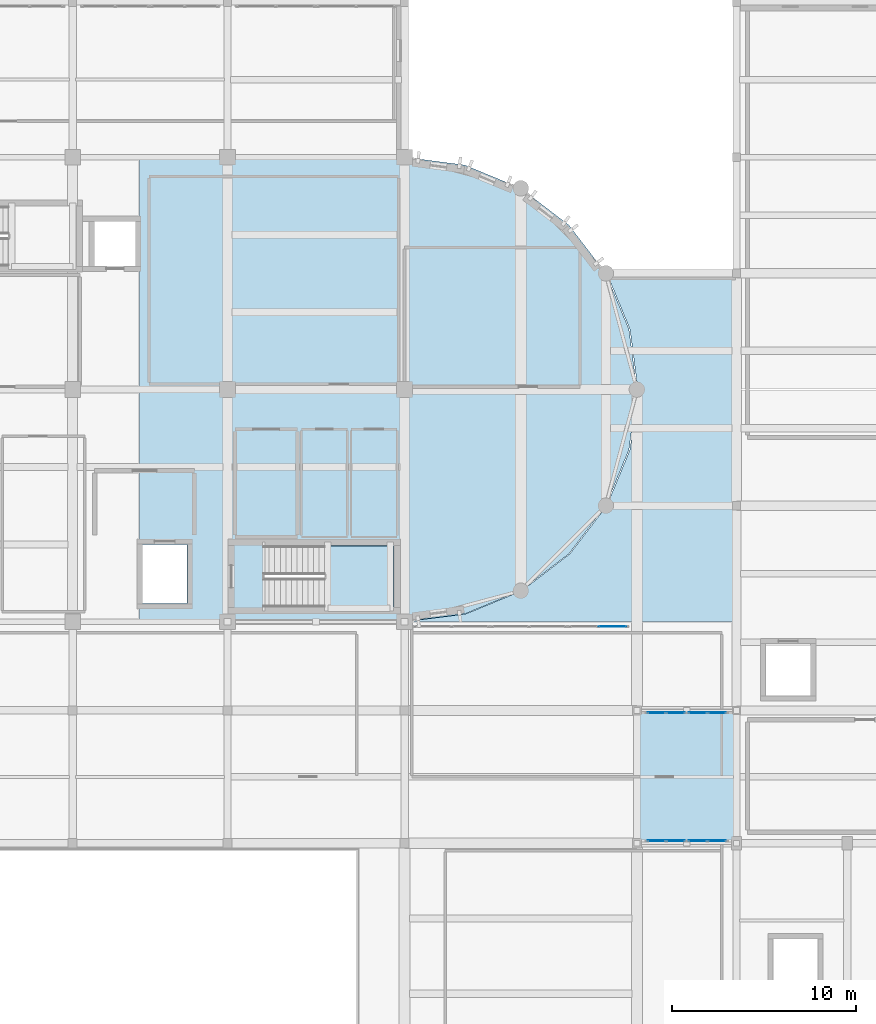
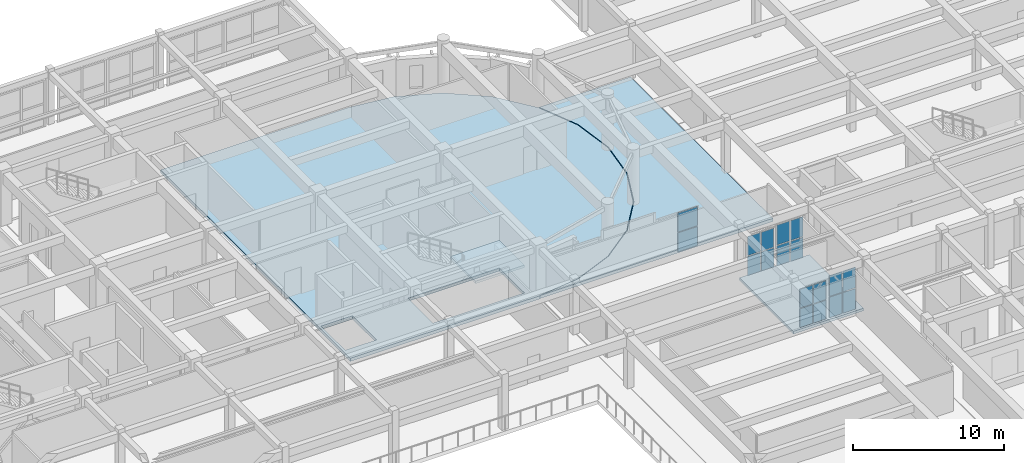
# One storey, part 59 of 92: 18 plates, 4 slabs, 6 elements without a shape of their own.
"""IFC4 building model written with IfcOpenShell, lengths in metres."""

import ifcopenshell
import ifcopenshell.guid

model = None  # the IFC model being written
_history = None  # IfcOwnerHistory: only IFC2X3 demands one
_inside = {}  # id of a spatial element -> (the spatial element, [elements in it])
_under = {}  # id of a project, library or spatial element -> (it, [spatial elements below it])
_declared = {}  # id of a project -> (the project, [libraries it declares])
_typed = {}  # id of a type object -> (the type object, [elements of that type])
_made_of = {}  # id of a material, layer set ... -> (it, [elements and type objects made of it])


def new_model(schema):
    """Start an empty IFC model of exactly this schema.

    Asked for "IFC4X3", IfcOpenShell would pick the latest addendum, in which some entities
    have other attributes; the version numbers below select the first issue.
    IFC2X3 requires an IfcOwnerHistory on every rooted entity: one is made here for all.
    """
    global model, _history
    if schema == "IFC4X3":
        model = ifcopenshell.file(schema_version=(4, 3, 0, 0))
    else:
        model = ifcopenshell.file(schema=schema)
    _inside.clear()
    _under.clear()
    _declared.clear()
    _typed.clear()
    _made_of.clear()
    _history = None
    if model.schema == "IFC2X3":
        org = make("IfcOrganization", Name="unknown")
        user = make(
            "IfcPersonAndOrganization",
            ThePerson=make("IfcPerson", FamilyName="unknown"),
            TheOrganization=org,
        )
        app = make(
            "IfcApplication",
            ApplicationDeveloper=org,
            Version="unknown",
            ApplicationFullName="unknown",
            ApplicationIdentifier="unknown",
        )
        _history = make(
            "IfcOwnerHistory",
            OwningUser=user,
            OwningApplication=app,
            ChangeAction="ADDED",
            CreationDate=0,
        )
    return model


def make(cls, **values):
    """One entity of the class cls with the attributes given. An attribute that is None is left unset."""
    return model.create_entity(
        cls, **{name: value for name, value in values.items() if value is not None}
    )


def rooted(cls, **values):
    """An entity with a GlobalId (a new one), such as an element, a storey or a relation."""
    return make(cls, GlobalId=ifcopenshell.guid.new(), OwnerHistory=_history, **values)


def si_unit(unit_type, name, prefix=None):
    """IfcSIUnit, for example si_unit("LENGTHUNIT", "METRE", prefix="MILLI")."""
    return make("IfcSIUnit", UnitType=unit_type, Prefix=prefix, Name=name)


def assignment(units):
    """IfcUnitAssignment: the units of a project."""
    return None if units is None else make("IfcUnitAssignment", Units=units)


def point(xyz):
    """IfcCartesianPoint."""
    return None if xyz is None else make("IfcCartesianPoint", Coordinates=xyz)


def direction(xyz):
    """IfcDirection."""
    return None if xyz is None else make("IfcDirection", DirectionRatios=xyz)


def frame(location, z_axis=None, x_axis=None):
    """IfcAxis2Placement3D, a coordinate frame: its origin and axes. An axis left out is left unset."""
    return make(
        "IfcAxis2Placement3D",
        Location=point(location),
        Axis=direction(z_axis),
        RefDirection=direction(x_axis),
    )


def frame_2d(location, x_axis=None):
    """IfcAxis2Placement2D, a coordinate frame in the plane: its origin and x axis."""
    return make(
        "IfcAxis2Placement2D", Location=point(location), RefDirection=direction(x_axis)
    )


def origin():
    """The frame at (0, 0, 0) with its axes left unset."""
    return frame((0.0, 0.0, 0.0))


def origin_2d():
    """The frame at (0, 0) in the plane with its x axis left unset."""
    return frame_2d((0.0, 0.0))


def place(relative_to, where):
    """IfcLocalPlacement: puts the frame where relative to a parent placement (None: the world)."""
    return make(
        "IfcLocalPlacement", PlacementRelTo=relative_to, RelativePlacement=where
    )


def context(
    kind, dimensions, precision=None, world=None, true_north=None, identifier=None
):
    """IfcGeometricRepresentationContext, for example the 3D "Model" context."""
    return make(
        "IfcGeometricRepresentationContext",
        ContextIdentifier=identifier,
        ContextType=kind,
        CoordinateSpaceDimension=dimensions,
        Precision=precision,
        WorldCoordinateSystem=world,
        TrueNorth=true_north,
    )


def subcontext(parent, identifier, kind, view, scale=None):
    """IfcGeometricRepresentationSubContext, for example "Body" below "Model"."""
    return make(
        "IfcGeometricRepresentationSubContext",
        ContextIdentifier=identifier,
        ContextType=kind,
        ParentContext=parent,
        TargetScale=scale,
        TargetView=view,
    )


def project(units=None, contexts=None):
    """IfcProject with its units and contexts."""
    return rooted(
        "IfcProject",
        Name="project",
        RepresentationContexts=contexts,
        UnitsInContext=assignment(units),
    )


def spatial(cls, under=None, at=None, **own):
    """A site, building, storey or space (cls), placed at a placement, below another one or the project."""
    s = rooted(cls, ObjectPlacement=at, **own)
    if under is not None:
        _under.setdefault(under.id(), (under, []))[1].append(s)
    return s


def polyline(points):
    """IfcPolyline through the points."""
    return make("IfcPolyline", Points=[point(p) for p in points])


def profile(cls, at=None, kind="AREA", **sizes):
    """A parametric profile (cls). Its sizes go by their IFC names, for example OverallWidth=200.0."""
    return make(cls, ProfileType=kind, Position=at, **sizes)


def rectangle(**sizes):
    """IfcRectangleProfileDef."""
    return profile("IfcRectangleProfileDef", **sizes)


def outline(outer, holes=None, kind="AREA"):
    """IfcArbitraryClosedProfileDef: a profile drawn as a closed curve; with holes, ...WithVoids."""
    if holes is None:
        return make("IfcArbitraryClosedProfileDef", ProfileType=kind, OuterCurve=outer)
    return make(
        "IfcArbitraryProfileDefWithVoids",
        ProfileType=kind,
        OuterCurve=outer,
        InnerCurves=holes,
    )


def extrude(swept, where, along, depth):
    """IfcExtrudedAreaSolid: the profile swept, set in the frame where, extruded along a direction by depth."""
    return make(
        "IfcExtrudedAreaSolid",
        SweptArea=swept,
        Position=where,
        ExtrudedDirection=direction(along),
        Depth=depth,
    )


def shape(context_of_items, identifier, shape_type, items):
    """IfcShapeRepresentation: the items that make up one representation, for example the "Body"."""
    return make(
        "IfcShapeRepresentation",
        ContextOfItems=context_of_items,
        RepresentationIdentifier=identifier,
        RepresentationType=shape_type,
        Items=items,
    )


def material(Name=None, Category=None):
    """IfcMaterial."""
    return make("IfcMaterial", Name=Name, Category=Category)


def layer(
    of_material, thickness, ventilated=None, Name=None, Category=None, Priority=None
):
    """IfcMaterialLayer: one layer of a wall or slab, of a material (None: an air gap)."""
    return make(
        "IfcMaterialLayer",
        Material=of_material,
        LayerThickness=thickness,
        IsVentilated=ventilated,
        Name=Name,
        Category=Category,
        Priority=Priority,
    )


def layer_set(layers, Name=None):
    """IfcMaterialLayerSet."""
    return make("IfcMaterialLayerSet", MaterialLayers=layers, LayerSetName=Name)


def made_of(thing, what):
    """Note that an element or type object is made of a material, layer set ...; save() writes the relation."""
    if what is not None:
        _made_of.setdefault(what.id(), (what, []))[1].append(thing)
    return thing


def type_object(cls, material=None, **own):
    """A type object (cls), such as IfcWallType, which elements share."""
    return made_of(rooted(cls, **own), material)


def element(
    cls,
    number,
    at=None,
    inside=None,
    cuts=None,
    type_object=None,
    material=None,
    context=None,
    identifier="Body",
    shape_type=None,
    held_by="IfcProductDefinitionShape",
    body=None,
    shapes=None,
    **own,
):
    """One element of the class cls, such as IfcWall. Its Tag is "e" and its number.

    at: its placement. inside: the storey or other place that contains it. cuts: it is an
    opening in that element (IfcRelVoidsElement). A single representation is given by context,
    identifier, shape_type and body (its items); several are given by shapes. held_by: the class
    of the entity that holds the representations. save() writes the other relations.
    """
    e = rooted(cls, Tag="e%d" % number, ObjectPlacement=at, **own)
    if body is not None:
        shapes = [shape(context, identifier, shape_type, body)]
    if shapes is not None:
        e.Representation = make(held_by, Representations=shapes)
    if inside is not None:
        _inside.setdefault(inside.id(), (inside, []))[1].append(e)
    if cuts is not None:
        rooted(
            "IfcRelVoidsElement", RelatingBuildingElement=cuts, RelatedOpeningElement=e
        )
    if type_object is not None:
        _typed.setdefault(type_object.id(), (type_object, []))[1].append(e)
    return made_of(e, material)


def aggregate(whole, parts):
    """IfcRelAggregates: a whole, such as a stair, and the parts it consists of."""
    return rooted("IfcRelAggregates", RelatingObject=whole, RelatedObjects=parts)


def save(model, path):
    """Write the relations noted so far, then the file.

    IfcRelAggregates (storeys below a building ...), IfcRelContainedInSpatialStructure (elements
    in a storey), IfcRelDefinesByType, IfcRelAssociatesMaterial and IfcRelDeclares: one each for
    every whole, place, type object, material and project.
    """
    for whole, parts in _under.values():
        aggregate(whole, parts)
    for where, things in _inside.values():
        rooted(
            "IfcRelContainedInSpatialStructure",
            RelatedElements=things,
            RelatingStructure=where,
        )
    for kind, things in _typed.values():
        rooted("IfcRelDefinesByType", RelatedObjects=things, RelatingType=kind)
    for what, things in _made_of.values():
        rooted("IfcRelAssociatesMaterial", RelatedObjects=things, RelatingMaterial=what)
    for by, libraries in _declared.values():
        rooted("IfcRelDeclares", RelatingContext=by, RelatedDefinitions=libraries)
    model.write(path)


model = new_model("IFC4")

# Units and contexts
model_context = context("Model", 3, precision=1e-05, world=origin(), true_north=direction((0.0, 1.0)))
body_context = subcontext(model_context, "Body", "Model", "MODEL_VIEW")
ifc_project = project(units=[si_unit("LENGTHUNIT", "METRE"), si_unit("AREAUNIT", "SQUARE_METRE"), si_unit("VOLUMEUNIT", "CUBIC_METRE"), si_unit("PLANEANGLEUNIT", "RADIAN"), si_unit("MASSUNIT", "GRAM", prefix="KILO")], contexts=[model_context])

# Site, building, storey
site_placement = place(None, origin())
site = spatial("IfcSite", under=ifc_project, at=site_placement, CompositionType="ELEMENT")
building_placement = place(site_placement, origin())
building = spatial("IfcBuilding", under=site, at=building_placement, Name="Tarnavel Promenade Courthouse", CompositionType="ELEMENT")
storey_placement = place(building_placement, frame((0.0, 0.0, 5.39990234375)))
storey = spatial("IfcBuildingStorey", under=building, at=storey_placement, Name="L02", CompositionType="ELEMENT", Elevation=5.39990234375)

# Slab
ifc_material_1 = material(Name="Concrete C35/45", Category="concrete")
ifc_layer_1 = layer(ifc_material_1, 0.2099609375)
ifc_layer_set_1 = layer_set([ifc_layer_1], Name="Concrete C35/45")
slab_type_1 = type_object("IfcSlabType", Name="Concrete C35/45 SLB-BRG-210 (210 mm)", PredefinedType="FLOOR", material=ifc_layer_set_1)
slab_1_placement = place(storey_placement, frame((0.0, 0.0, -0.2099609375)))
element("IfcSlab", 1, at=slab_1_placement, inside=storey, type_object=slab_type_1, Name="L02 East Custody Link Bridge Deck", PredefinedType="FLOOR", context=body_context, shape_type="SweptSolid", body=[
    extrude(outline(polyline([(114.6201171875, 67.219970703125), (119.97998046875, 67.219970703125), (119.97998046875, 74.3798828125), (114.6201171875, 74.3798828125), (114.6201171875, 67.219970703125)])), origin(), (0.0, 0.0, 1.0), 0.2099609375),
])

# Stair, slab
stair_type = type_object("IfcStairType", Name="Concrete C35/45 Half-Turn Stair STR-03 (1560W-300G-24R)", PredefinedType="HALF_TURN_STAIR", material=ifc_material_1)
stair_placement = place(storey_placement, origin())
stair = element("IfcStair", 2, at=stair_placement, inside=storey, type_object=stair_type, Name="L02 East Bar Firefighting Exit Stair", PredefinedType="HALF_TURN_STAIR")
ifc_layer_2 = layer(ifc_material_1, 0.205078125)
ifc_layer_set_2 = layer_set([ifc_layer_2], Name="Concrete C35/45")
slab_type_2 = type_object("IfcSlabType", Name="Concrete C35/45 Stair Landing SLB-LND-205 (205 mm)", PredefinedType="LANDING", material=ifc_layer_set_2)
slab_2_placement = place(storey_placement, frame((0.0, 0.0, 2.050048828125)))
slab_2 = element("IfcSlab", 3, at=slab_2_placement, type_object=slab_type_2, Name="ST-02 landing 1", PredefinedType="LANDING", context=body_context, shape_type="SweptSolid", body=[
    extrude(outline(polyline([(97.659912109375, 80.0), (101.39990234375, 80.0), (101.39990234375, 83.320068359375), (97.659912109375, 83.320068359375), (97.659912109375, 80.0)])), origin(), (0.0, 0.0, 1.0), 0.199951171875),
])
aggregate(stair, [slab_2])

# Slabs
ifc_material_2 = material(Name="Concrete C40/50", Category="concrete")
ifc_layer_3 = layer(ifc_material_2, 0.25)
ifc_layer_set_3 = layer_set([ifc_layer_3], Name="Concrete C40/50")
slab_type_3 = type_object("IfcSlabType", Name="Concrete C40/50 SLB-PT-250 (250 mm)", PredefinedType="FLOOR", material=ifc_layer_set_3)
slab_3_placement = place(storey_placement, frame((0.0, 0.0, -0.25)))
element("IfcSlab", 4, at=slab_3_placement, inside=storey, type_object=slab_type_3, Name="L02 East Custody Link Neck Floor Slab", PredefinedType="FLOOR", context=body_context, shape_type="SweptSolid", body=[
    extrude(outline(polyline([(102.050048828125, 79.219970703125), (119.97998046875, 79.219970703125), (119.97998046875, 98.10009765625), (112.9619140625, 98.10009765625), (114.220703125, 95.06103515625), (114.64990234375, 91.800048828125), (114.220703125, 88.538818359375), (112.9619140625, 85.5), (110.95947265625, 82.890380859375), (108.35009765625, 80.88818359375), (105.31103515625, 79.62939453125), (102.050048828125, 79.219970703125)])), origin(), (0.0, 0.0, 1.0), 0.25),
])
ifc_layer_4 = layer(ifc_material_2, 0.260009765625)
ifc_layer_set_4 = layer_set([ifc_layer_4], Name="Concrete C40/50")
slab_type_4 = type_object("IfcSlabType", Name="Concrete C40/50 SLB-PT-260 (260 mm)", PredefinedType="FLOOR", material=ifc_layer_set_4)
slab_4_placement = place(storey_placement, frame((0.0, 0.0, -0.260009765625)))
element("IfcSlab", 5, at=slab_4_placement, inside=storey, type_object=slab_type_4, Name="L02 Stacked Courts East Drum Floor Slab", PredefinedType="FLOOR", context=body_context, shape_type="SweptSolid", body=[
    extrude(outline(polyline([(87.6201171875, 104.3798828125), (87.6201171875, 79.219970703125), (102.0, 79.199951171875), (105.26123046875, 79.62939453125), (108.300048828125, 80.88818359375), (110.909423828125, 82.890380859375), (112.911865234375, 85.5), (114.170654296875, 88.538818359375), (114.60009765625, 91.800048828125), (114.170654296875, 95.06103515625), (112.911865234375, 98.10009765625), (110.909423828125, 100.70947265625), (108.300048828125, 102.7119140625), (105.26123046875, 103.970703125), (102.0, 104.39990234375), (87.6201171875, 104.3798828125)]), holes=[polyline([(94.405029296875, 80.0), (101.39990234375, 80.0), (101.39990234375, 83.320068359375), (94.405029296875, 83.320068359375), (94.405029296875, 80.0)]), polyline([(87.800048828125, 80.199951171875), (90.199951171875, 80.199951171875), (90.199951171875, 83.39990234375), (87.800048828125, 83.39990234375), (87.800048828125, 80.199951171875)])]), origin(), (0.0, 0.0, 1.0), 0.260009765625),
])

# Curtain wall, plates
ifc_material_3 = material(Name="Thermally Broken Anodised Aluminium Curtain Wall System", Category="aluminium")
ifc_layer_5 = layer(ifc_material_3, 0.18505859375)
ifc_layer_set_5 = layer_set([ifc_layer_5], Name="Thermally Broken Anodised Aluminium Curtain Wall System")
curtain_wall_type_1 = type_object("IfcCurtainWallType", Name="Thermally Broken Aluminium Triple-Glazed Curtain Wall CW-BRG", PredefinedType="NOTDEFINED", material=ifc_layer_set_5)
curtain_wall_1_placement = place(storey_placement, origin())
curtain_wall_1 = element("IfcCurtainWall", 6, at=curtain_wall_1_placement, inside=storey, type_object=curtain_wall_type_1, Name="L02 East Bridge Curtain Wall A 154", PredefinedType="NOTDEFINED")
ifc_material_4 = material(Name="Triple Low-E Argon Insulated Glazing", Category="glass")
ifc_layer_6 = layer(ifc_material_4, 0.0419921875)
ifc_layer_set_6 = layer_set([ifc_layer_6], Name="Triple Low-E Argon Insulated Glazing")
plate_type_1 = type_object("IfcPlateType", Name="Triple Low-E Argon Insulated Glazing Unit CWP-42 (42 mm)", PredefinedType="CURTAIN_PANEL", material=ifc_layer_set_6)
plate_1_placement = place(storey_placement, frame((115.659912109375, 67.330078125, 0.0703125), z_axis=(0.0, 0.0, 1.0), x_axis=(1.0, 0.0, 0.0)))
plate_1 = element("IfcPlate", 7, at=plate_1_placement, type_object=plate_type_1, Name="CW-05 panel 1.1", PredefinedType="CURTAIN_PANEL", context=body_context, shape_type="SweptSolid", body=[
    extrude(rectangle(XDim=0.9599609375, YDim=0.0419921875, at=origin_2d()), origin(), (0.0, 0.0, 1.0), 1.510009765625),
])
plate_2_placement = place(storey_placement, frame((115.659912109375, 67.330078125, 1.64990234375), z_axis=(0.0, 0.0, 1.0), x_axis=(1.0, 0.0, 0.0)))
plate_2 = element("IfcPlate", 8, at=plate_2_placement, type_object=plate_type_1, Name="CW-05 panel 1.2", PredefinedType="CURTAIN_PANEL", context=body_context, shape_type="SweptSolid", body=[
    extrude(rectangle(XDim=0.9599609375, YDim=0.0419921875, at=origin_2d()), origin(), (0.0, 0.0, 1.0), 1.510009765625),
])
plate_3_placement = place(storey_placement, frame((116.699951171875, 67.330078125, 0.0703125), z_axis=(0.0, 0.0, 1.0), x_axis=(1.0, 0.0, 0.0)))
plate_3 = element("IfcPlate", 9, at=plate_3_placement, type_object=plate_type_1, Name="CW-05 panel 2.1", PredefinedType="CURTAIN_PANEL", context=body_context, shape_type="SweptSolid", body=[
    extrude(rectangle(XDim=0.9599609375, YDim=0.0419921875, at=origin_2d()), origin(), (0.0, 0.0, 1.0), 1.510009765625),
])
plate_4_placement = place(storey_placement, frame((116.699951171875, 67.330078125, 1.64990234375), z_axis=(0.0, 0.0, 1.0), x_axis=(1.0, 0.0, 0.0)))
plate_4 = element("IfcPlate", 10, at=plate_4_placement, type_object=plate_type_1, Name="CW-05 panel 2.2", PredefinedType="CURTAIN_PANEL", context=body_context, shape_type="SweptSolid", body=[
    extrude(rectangle(XDim=0.9599609375, YDim=0.0419921875, at=origin_2d()), origin(), (0.0, 0.0, 1.0), 1.510009765625),
])
aggregate(curtain_wall_1, [plate_1, plate_2, plate_3, plate_4])

curtain_wall_2_placement = place(storey_placement, origin())
curtain_wall_2 = element("IfcCurtainWall", 11, at=curtain_wall_2_placement, inside=storey, type_object=curtain_wall_type_1, Name="L02 East Bridge Curtain Wall B 155", PredefinedType="NOTDEFINED")
plate_5_placement = place(storey_placement, frame((117.89990234375, 67.330078125, 0.0703125), z_axis=(0.0, 0.0, 1.0), x_axis=(1.0, 0.0, 0.0)))
plate_5 = element("IfcPlate", 12, at=plate_5_placement, type_object=plate_type_1, Name="CW-05 panel 1.1", PredefinedType="CURTAIN_PANEL", context=body_context, shape_type="SweptSolid", body=[
    extrude(rectangle(XDim=0.9599609375, YDim=0.0419921875, at=origin_2d()), origin(), (0.0, 0.0, 1.0), 1.659912109375),
])
plate_6_placement = place(storey_placement, frame((117.89990234375, 67.330078125, 1.80029296875), z_axis=(0.0, 0.0, 1.0), x_axis=(1.0, 0.0, 0.0)))
plate_6 = element("IfcPlate", 13, at=plate_6_placement, type_object=plate_type_1, Name="CW-05 panel 1.2", PredefinedType="CURTAIN_PANEL", context=body_context, shape_type="SweptSolid", body=[
    extrude(rectangle(XDim=0.9599609375, YDim=0.0419921875, at=origin_2d()), origin(), (0.0, 0.0, 1.0), 1.659912109375),
])
plate_7_placement = place(storey_placement, frame((118.93994140625, 67.330078125, 0.0703125), z_axis=(0.0, 0.0, 1.0), x_axis=(1.0, 0.0, 0.0)))
plate_7 = element("IfcPlate", 14, at=plate_7_placement, type_object=plate_type_1, Name="CW-05 panel 2.1", PredefinedType="CURTAIN_PANEL", context=body_context, shape_type="SweptSolid", body=[
    extrude(rectangle(XDim=0.9599609375, YDim=0.0419921875, at=origin_2d()), origin(), (0.0, 0.0, 1.0), 1.659912109375),
])
plate_8_placement = place(storey_placement, frame((118.93994140625, 67.330078125, 1.80029296875), z_axis=(0.0, 0.0, 1.0), x_axis=(1.0, 0.0, 0.0)))
plate_8 = element("IfcPlate", 15, at=plate_8_placement, type_object=plate_type_1, Name="CW-05 panel 2.2", PredefinedType="CURTAIN_PANEL", context=body_context, shape_type="SweptSolid", body=[
    extrude(rectangle(XDim=0.9599609375, YDim=0.0419921875, at=origin_2d()), origin(), (0.0, 0.0, 1.0), 1.659912109375),
])
aggregate(curtain_wall_2, [plate_5, plate_6, plate_7, plate_8])

curtain_wall_3_placement = place(storey_placement, origin())
curtain_wall_3 = element("IfcCurtainWall", 16, at=curtain_wall_3_placement, inside=storey, type_object=curtain_wall_type_1, Name="L02 East Bridge Curtain Wall A 156", PredefinedType="NOTDEFINED")
plate_9_placement = place(storey_placement, frame((115.659912109375, 74.27001953125, 0.0703125), z_axis=(0.0, 0.0, 1.0), x_axis=(1.0, 0.0, 0.0)))
plate_9 = element("IfcPlate", 17, at=plate_9_placement, type_object=plate_type_1, Name="CW-05 panel 1.1", PredefinedType="CURTAIN_PANEL", context=body_context, shape_type="SweptSolid", body=[
    extrude(rectangle(XDim=0.9599609375, YDim=0.0419921875, at=origin_2d()), origin(), (0.0, 0.0, 1.0), 1.530029296875),
])
plate_10_placement = place(storey_placement, frame((115.659912109375, 74.27001953125, 1.669921875), z_axis=(0.0, 0.0, 1.0), x_axis=(1.0, 0.0, 0.0)))
plate_10 = element("IfcPlate", 18, at=plate_10_placement, type_object=plate_type_1, Name="CW-05 panel 1.2", PredefinedType="CURTAIN_PANEL", context=body_context, shape_type="SweptSolid", body=[
    extrude(rectangle(XDim=0.9599609375, YDim=0.0419921875, at=origin_2d()), origin(), (0.0, 0.0, 1.0), 1.530029296875),
])
plate_11_placement = place(storey_placement, frame((116.699951171875, 74.27001953125, 0.0703125), z_axis=(0.0, 0.0, 1.0), x_axis=(1.0, 0.0, 0.0)))
plate_11 = element("IfcPlate", 19, at=plate_11_placement, type_object=plate_type_1, Name="CW-05 panel 2.1", PredefinedType="CURTAIN_PANEL", context=body_context, shape_type="SweptSolid", body=[
    extrude(rectangle(XDim=0.9599609375, YDim=0.0419921875, at=origin_2d()), origin(), (0.0, 0.0, 1.0), 1.530029296875),
])
plate_12_placement = place(storey_placement, frame((116.699951171875, 74.27001953125, 1.669921875), z_axis=(0.0, 0.0, 1.0), x_axis=(1.0, 0.0, 0.0)))
plate_12 = element("IfcPlate", 20, at=plate_12_placement, type_object=plate_type_1, Name="CW-05 panel 2.2", PredefinedType="CURTAIN_PANEL", context=body_context, shape_type="SweptSolid", body=[
    extrude(rectangle(XDim=0.9599609375, YDim=0.0419921875, at=origin_2d()), origin(), (0.0, 0.0, 1.0), 1.530029296875),
])
aggregate(curtain_wall_3, [plate_9, plate_10, plate_11, plate_12])

curtain_wall_4_placement = place(storey_placement, origin())
curtain_wall_4 = element("IfcCurtainWall", 21, at=curtain_wall_4_placement, inside=storey, type_object=curtain_wall_type_1, Name="L02 East Bridge Curtain Wall B 157", PredefinedType="NOTDEFINED")
plate_13_placement = place(storey_placement, frame((117.89990234375, 74.27001953125, 0.070068359375), z_axis=(0.0, 0.0, 1.0), x_axis=(1.0, 0.0, 0.0)))
plate_13 = element("IfcPlate", 22, at=plate_13_placement, type_object=plate_type_1, Name="CW-05 panel 1.1", PredefinedType="CURTAIN_PANEL", context=body_context, shape_type="SweptSolid", body=[
    extrude(rectangle(XDim=0.9599609375, YDim=0.0419921875, at=origin_2d()), origin(), (0.0, 0.0, 1.0), 1.60498046875),
])
plate_14_placement = place(storey_placement, frame((117.89990234375, 74.27001953125, 1.7451171875), z_axis=(0.0, 0.0, 1.0), x_axis=(1.0, 0.0, 0.0)))
plate_14 = element("IfcPlate", 23, at=plate_14_placement, type_object=plate_type_1, Name="CW-05 panel 1.2", PredefinedType="CURTAIN_PANEL", context=body_context, shape_type="SweptSolid", body=[
    extrude(rectangle(XDim=0.9599609375, YDim=0.0419921875, at=origin_2d()), origin(), (0.0, 0.0, 1.0), 1.60498046875),
])
plate_15_placement = place(storey_placement, frame((118.93994140625, 74.27001953125, 0.070068359375), z_axis=(0.0, 0.0, 1.0), x_axis=(1.0, 0.0, 0.0)))
plate_15 = element("IfcPlate", 24, at=plate_15_placement, type_object=plate_type_1, Name="CW-05 panel 2.1", PredefinedType="CURTAIN_PANEL", context=body_context, shape_type="SweptSolid", body=[
    extrude(rectangle(XDim=0.9599609375, YDim=0.0419921875, at=origin_2d()), origin(), (0.0, 0.0, 1.0), 1.60498046875),
])
plate_16_placement = place(storey_placement, frame((118.93994140625, 74.27001953125, 1.7451171875), z_axis=(0.0, 0.0, 1.0), x_axis=(1.0, 0.0, 0.0)))
plate_16 = element("IfcPlate", 25, at=plate_16_placement, type_object=plate_type_1, Name="CW-05 panel 2.2", PredefinedType="CURTAIN_PANEL", context=body_context, shape_type="SweptSolid", body=[
    extrude(rectangle(XDim=0.9599609375, YDim=0.0419921875, at=origin_2d()), origin(), (0.0, 0.0, 1.0), 1.60498046875),
])
aggregate(curtain_wall_4, [plate_13, plate_14, plate_15, plate_16])

ifc_layer_7 = layer(ifc_material_3, 0.2099609375)
ifc_layer_set_7 = layer_set([ifc_layer_7], Name="Thermally Broken Anodised Aluminium Curtain Wall System")
curtain_wall_type_2 = type_object("IfcCurtainWallType", Name="Thermally Broken Aluminium Triple-Glazed Curtain Wall CW-WG-N", PredefinedType="NOTDEFINED", material=ifc_layer_set_7)
curtain_wall_5_placement = place(storey_placement, origin())
curtain_wall_5 = element("IfcCurtainWall", 26, at=curtain_wall_5_placement, inside=storey, type_object=curtain_wall_type_2, Name="L02 Winter-Garden North Curtain Wall 113", PredefinedType="NOTDEFINED")
ifc_layer_8 = layer(ifc_material_4, 0.048095703125)
ifc_layer_set_8 = layer_set([ifc_layer_8], Name="Triple Low-E Argon Insulated Glazing")
plate_type_2 = type_object("IfcPlateType", Name="Triple Low-E Argon Insulated Glazing Unit CWP-48 (48 mm)", PredefinedType="CURTAIN_PANEL", material=ifc_layer_set_8)
plate_17_placement = place(storey_placement, frame((113.280029296875, 78.949951171875, 0.0703125), z_axis=(0.0, 0.0, 1.0), x_axis=(1.0, 0.0, 0.0)))
plate_17 = element("IfcPlate", 27, at=plate_17_placement, type_object=plate_type_2, Name="CW-03 panel 2.1", PredefinedType="CURTAIN_PANEL", context=body_context, shape_type="SweptSolid", body=[
    extrude(rectangle(XDim=1.47998046875, YDim=0.048095703125, at=origin_2d()), origin(), (0.0, 0.0, 1.0), 1.530029296875),
])
plate_18_placement = place(storey_placement, frame((113.280029296875, 78.949951171875, 1.669921875), z_axis=(0.0, 0.0, 1.0), x_axis=(1.0, 0.0, 0.0)))
plate_18 = element("IfcPlate", 28, at=plate_18_placement, type_object=plate_type_2, Name="CW-03 panel 2.2", PredefinedType="CURTAIN_PANEL", context=body_context, shape_type="SweptSolid", body=[
    extrude(rectangle(XDim=1.47998046875, YDim=0.048095703125, at=origin_2d()), origin(), (0.0, 0.0, 1.0), 1.530029296875),
])
aggregate(curtain_wall_5, [plate_17, plate_18])

save(model, "model.ifc")
